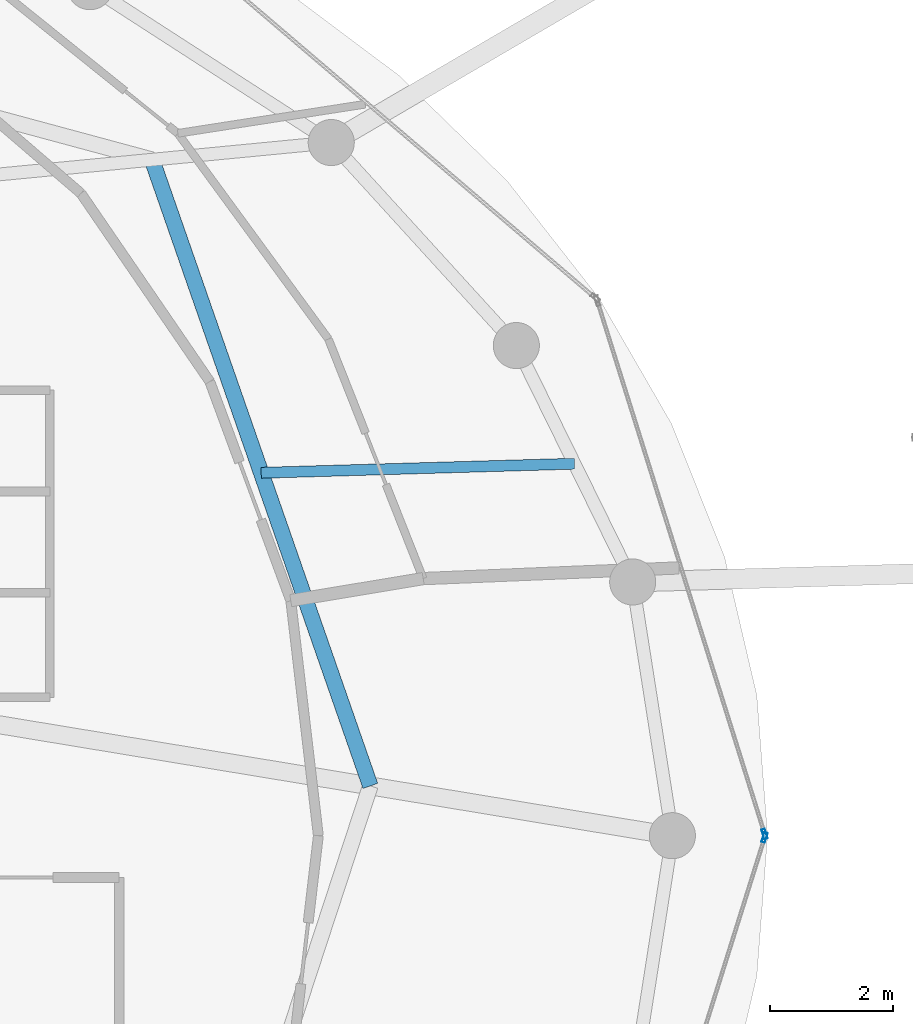
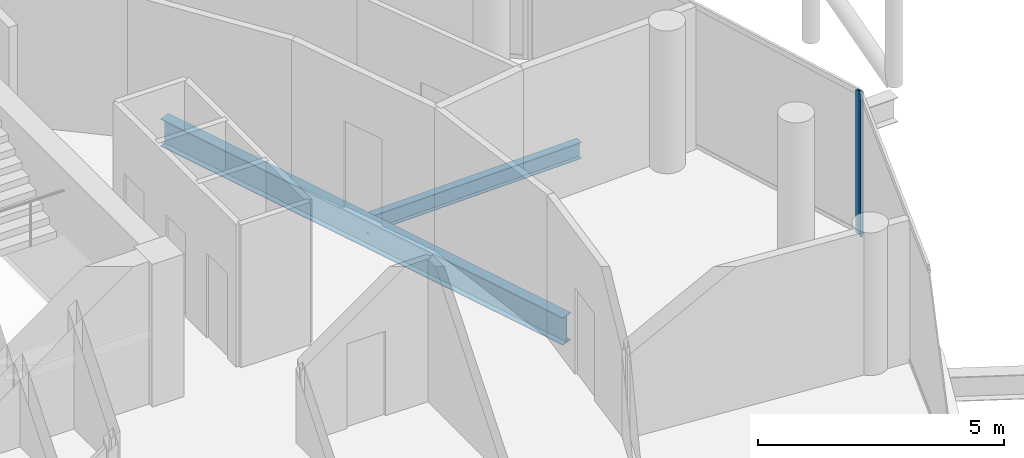
# One storey, part 12 of 24: 2 beams, 2 members, 2 elements without a shape of their own.
"""IFC4 building model written with IfcOpenShell, lengths in metres."""

from ifc_helpers import new_model, si_unit, direction, frame, origin, origin_2d, place, context, subcontext, project, spatial, hollow_rectangle, i_section, extrude, material, layer, layer_set, material_profile, profile_set, type_object, element, aggregate, save


model = new_model("IFC4")

# Units and contexts
model_context = context("Model", 3, precision=1e-05, world=origin(), true_north=direction((0.0, 1.0)))
body_context = subcontext(model_context, "Body", "Model", "MODEL_VIEW")
ifc_project = project(units=[si_unit("LENGTHUNIT", "METRE"), si_unit("AREAUNIT", "SQUARE_METRE"), si_unit("VOLUMEUNIT", "CUBIC_METRE"), si_unit("PLANEANGLEUNIT", "RADIAN"), si_unit("MASSUNIT", "GRAM", prefix="KILO")], contexts=[model_context])

# Site, building, storey
site_placement = place(None, origin())
site = spatial("IfcSite", under=ifc_project, at=site_placement, CompositionType="ELEMENT")
building_placement = place(site_placement, origin())
building = spatial("IfcBuilding", under=site, at=building_placement, Name="Nuhasar Tower", CompositionType="ELEMENT")
storey_placement = place(building_placement, frame((0.0, 0.0, 293.60009765625)))
storey = spatial("IfcBuildingStorey", under=building, at=storey_placement, Name="L73", CompositionType="ELEMENT", Elevation=293.60009765625)

# Beams
ifc_material_1 = material(Name="Steel S355", Category="steel")
ifc_material_profile_1 = material_profile(ifc_material_1, i_section(OverallWidth=0.25390625, OverallDepth=0.68408203125, WebThickness=0.012451171875, FlangeThickness=0.018798828125, at=origin_2d()), Name="W27X94")
ifc_profile_set_1 = profile_set([ifc_material_profile_1], Name="Steel S355")
beam_type_1 = type_object("IfcBeamType", Name="BM-INRING-W27X94", PredefinedType="BEAM", material=ifc_profile_set_1)
beam_1_placement = place(storey_placement, frame((53.035888671875, 27.610107421875, -0.60205078125), z_axis=(-0.329211236979, 0.944256300718, 0.0), x_axis=(-0.944256300718, -0.329211236979, 0.0)))
element("IfcBeam", 1, at=beam_1_placement, inside=storey, type_object=beam_type_1, Name="L73 Inner Header Beam 04", PredefinedType="BEAM", context=body_context, shape_type="SweptSolid", body=[
    extrude(i_section(OverallWidth=0.25390625, OverallDepth=0.68408203125, WebThickness=0.012451171875, FlangeThickness=0.018798828125, at=origin_2d()), origin(), (0.0, 0.0, 1.0), 10.78955078125),
])
ifc_material_profile_2 = material_profile(ifc_material_1, i_section(OverallWidth=0.177978515625, OverallDepth=0.406005859375, WebThickness=0.0078125, FlangeThickness=0.0126953125, at=origin_2d()), Name="W16X40")
ifc_profile_set_2 = profile_set([ifc_material_profile_2], Name="Steel S355")
beam_type_2 = type_object("IfcBeamType", Name="BM-JST-W16X40", PredefinedType="JOIST", material=ifc_profile_set_2)
beam_2_placement = place(storey_placement, frame((51.260009765625, 32.7041015625, -0.463134765625), z_axis=(0.999579139243, 0.02900938453, 0.0), x_axis=(-0.02900938453, 0.999579139243, 0.0)))
element("IfcBeam", 2, at=beam_2_placement, inside=storey, type_object=beam_type_2, Name="L73 Secondary Floor Joist 04", PredefinedType="JOIST", context=body_context, shape_type="SweptSolid", body=[
    extrude(i_section(OverallWidth=0.177978515625, OverallDepth=0.406005859375, WebThickness=0.0078125, FlangeThickness=0.0126953125, at=origin_2d()), origin(), (0.0, 0.0, 1.0), 5.10009765625),
])

# Curtain wall, member
ifc_material_2 = material(Name="Aluminium 6063-T6", Category="aluminium")
ifc_layer = layer(ifc_material_2, 0.18994140625)
ifc_layer_set = layer_set([ifc_layer], Name="Aluminium 6063-T6")
curtain_wall_type = type_object("IfcCurtainWallType", Name="CW-Z4-PEN", PredefinedType="NOTDEFINED", material=ifc_layer_set)
curtain_wall_1_placement = place(storey_placement, origin())
curtain_wall_1 = element("IfcCurtainWall", 3, at=curtain_wall_1_placement, inside=storey, type_object=curtain_wall_type, Name="L73 Unitised Curtain Wall 01", PredefinedType="NOTDEFINED")
ifc_material_profile_3 = material_profile(ifc_material_2, hollow_rectangle(XDim=0.06005859375, YDim=0.1650390625, WallThickness=0.0048828125, at=origin_2d()), Name="CWM-5")
ifc_profile_set_3 = profile_set([ifc_material_profile_3], Name="Aluminium 6063-T6")
member_type = type_object("IfcMemberType", Name="CW-MUL-S5", PredefinedType="MULLION", material=ifc_profile_set_3)
member_1_placement = place(storey_placement, frame((59.450927734375, 26.82861328125, 0.0), z_axis=(0.0, 0.0, 1.0), x_axis=(-0.954078526601, -0.299556614146, 0.0)))
member_1 = element("IfcMember", 4, at=member_1_placement, type_object=member_type, Name="CW-Z4 mullion 1", PredefinedType="MULLION", context=body_context, shape_type="SweptSolid", body=[
    extrude(hollow_rectangle(XDim=0.06005859375, YDim=0.1650390625, WallThickness=0.0048828125, at=origin_2d()), origin(), (0.0, 0.0, 1.0), 3.539794921875),
])
aggregate(curtain_wall_1, [member_1])

curtain_wall_2_placement = place(storey_placement, origin())
curtain_wall_2 = element("IfcCurtainWall", 5, at=curtain_wall_2_placement, inside=storey, type_object=curtain_wall_type, Name="L73 Unitised Curtain Wall 12", PredefinedType="NOTDEFINED")
member_2_placement = place(storey_placement, frame((59.450927734375, 26.771484375, 0.0), z_axis=(0.0, 0.0, 1.0), x_axis=(-0.954078526601, 0.299556614146, 0.0)))
member_2 = element("IfcMember", 6, at=member_2_placement, type_object=member_type, Name="CW-Z4 mullion 2", PredefinedType="MULLION", context=body_context, shape_type="SweptSolid", body=[
    extrude(hollow_rectangle(XDim=0.06005859375, YDim=0.1650390625, WallThickness=0.0048828125, at=origin_2d()), origin(), (0.0, 0.0, 1.0), 3.539794921875),
])
aggregate(curtain_wall_2, [member_2])

save(model, "model.ifc")
